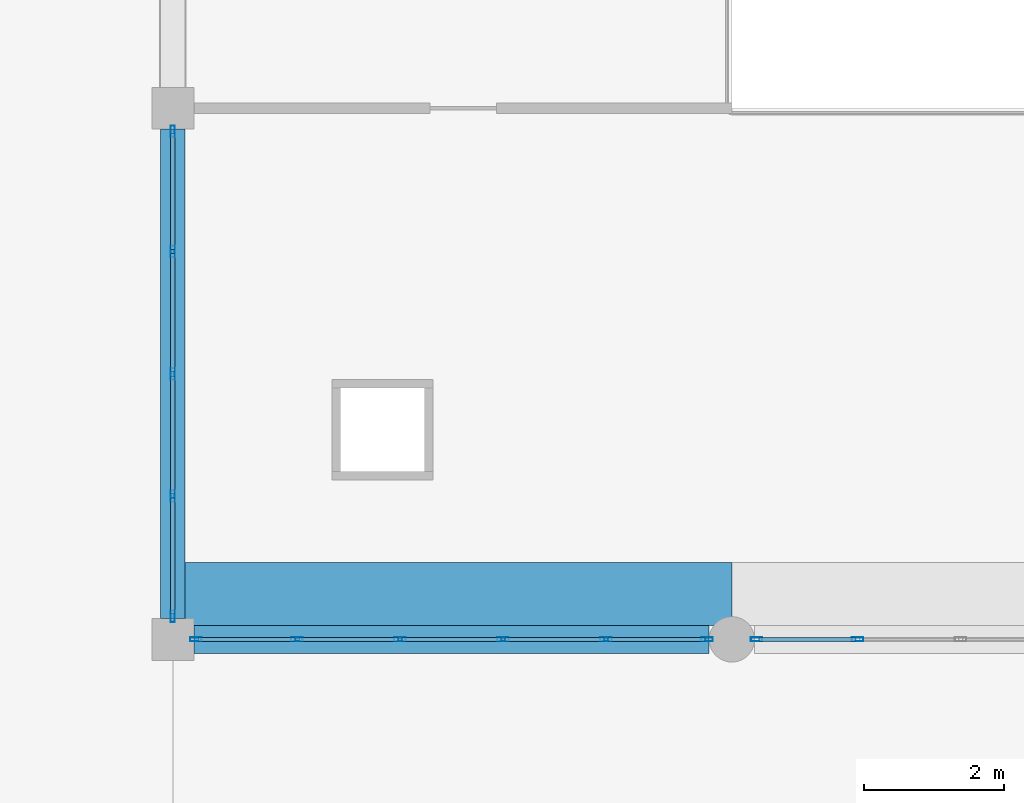
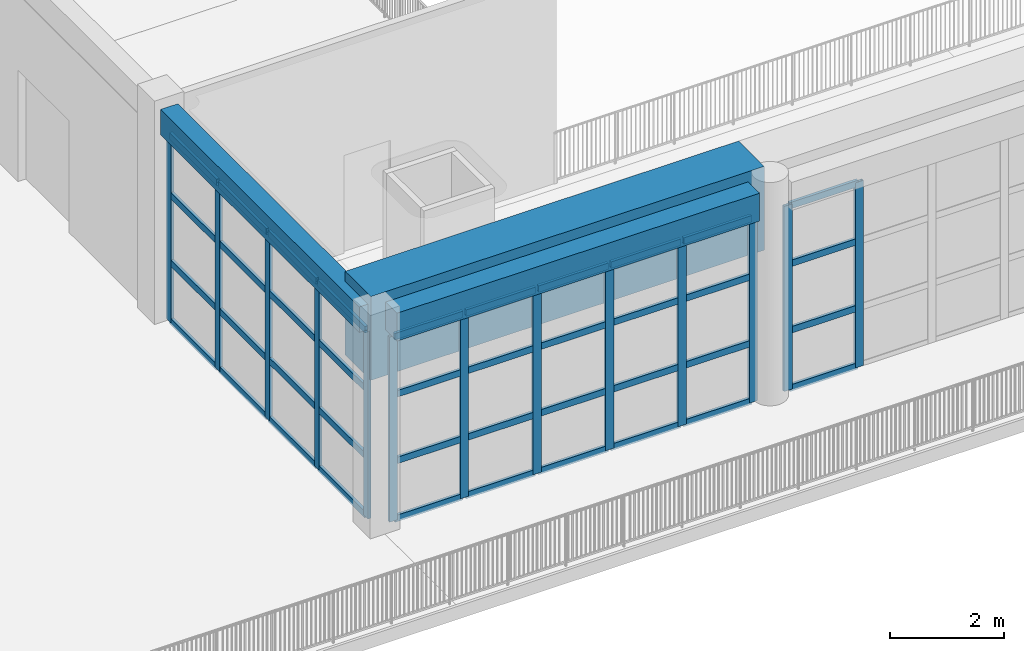
# One storey, part 4 of 32: 53 members, 3 beams, 3 elements without a shape of their own.
"""IFC4 building model written with IfcOpenShell, lengths in metres."""

from ifc_helpers import new_model, si_unit, direction, frame, origin, origin_2d, place, context, subcontext, project, spatial, rectangle, hollow_rectangle, extrude, material, material_profile, profile_set, type_object, element, aggregate, save


model = new_model("IFC4")

# Units and contexts
model_context = context("Model", 3, precision=1e-05, world=origin(), true_north=direction((0.0, 1.0)))
body_context = subcontext(model_context, "Body", "Model", "MODEL_VIEW")
ifc_project = project(units=[si_unit("LENGTHUNIT", "METRE"), si_unit("AREAUNIT", "SQUARE_METRE"), si_unit("VOLUMEUNIT", "CUBIC_METRE"), si_unit("PLANEANGLEUNIT", "RADIAN"), si_unit("MASSUNIT", "GRAM", prefix="KILO")], contexts=[model_context])

# Site, building, storey
site_placement = place(None, origin())
site = spatial("IfcSite", under=ifc_project, at=site_placement, CompositionType="ELEMENT")
building_placement = place(site_placement, origin())
building = spatial("IfcBuilding", under=site, at=building_placement, Name="Zantavel Square City Hall", CompositionType="ELEMENT")
storey_placement = place(building_placement, frame((0.0, 0.0, 23.699951171875)))
storey = spatial("IfcBuildingStorey", under=building, at=storey_placement, Name="L06", CompositionType="ELEMENT", Elevation=23.699951171875)

# Curtain wall, members
ifc_material_1 = material(Name="Anodised aluminium 6063-T6", Category="aluminium")
curtain_wall_type_1 = type_object("IfcCurtainWallType", Name="Curtain Wall TRV1 7375x3980", PredefinedType="USERDEFINED", material=ifc_material_1)
curtain_wall_1_placement = place(storey_placement, origin())
curtain_wall_1 = element("IfcCurtainWall", 1, at=curtain_wall_1_placement, inside=storey, type_object=curtain_wall_type_1, Name="L06 Glazed Curtain Wall CW-L06-156", ObjectType="GLAZED CURTAIN WALL", PredefinedType="USERDEFINED")
ifc_material_profile_1 = material_profile(ifc_material_1, hollow_rectangle(XDim=0.06005859375, YDim=0.1650390625, WallThickness=0.00390625, at=origin_2d()), Name="ALU 60x165x4")
ifc_profile_set_1 = profile_set([ifc_material_profile_1], Name="Anodised aluminium 6063-T6")
member_type_1 = type_object("IfcMemberType", Name="CW Council Gallery Mullion ALU 60x165x4", PredefinedType="MULLION", material=ifc_profile_set_1)
member_1_placement = place(storey_placement, frame((73.800048828125, 30.39990234375, 0.0), z_axis=(0.0, 0.0, 1.0), x_axis=(0.0, -1.0, 0.0)))
member_1 = element("IfcMember", 2, at=member_1_placement, type_object=member_type_1, Name="CW-156 mullion 5", PredefinedType="MULLION", context=body_context, shape_type="SweptSolid", body=[
    extrude(hollow_rectangle(XDim=0.06005859375, YDim=0.1650390625, WallThickness=0.00390625, at=origin_2d()), origin(), (0.0, 0.0, 1.0), 3.97998046875),
])
member_2_placement = place(storey_placement, frame((72.35498046875, 30.39990234375, 0.0), z_axis=(0.0, 0.0, 1.0), x_axis=(0.0, -1.0, 0.0)))
member_2 = element("IfcMember", 3, at=member_2_placement, type_object=member_type_1, Name="CW-156 mullion 6", PredefinedType="MULLION", context=body_context, shape_type="SweptSolid", body=[
    extrude(hollow_rectangle(XDim=0.06005859375, YDim=0.1650390625, WallThickness=0.00390625, at=origin_2d()), origin(), (0.0, 0.0, 1.0), 3.97998046875),
])

curtain_wall_2_placement = place(storey_placement, origin())
curtain_wall_2 = element("IfcCurtainWall", 4, at=curtain_wall_2_placement, inside=storey, type_object=curtain_wall_type_1, Name="L06 Glazed Curtain Wall CW-L06-157", ObjectType="GLAZED CURTAIN WALL", PredefinedType="USERDEFINED")
member_3_placement = place(storey_placement, frame((71.64501953125, 30.39990234375, 0.0), z_axis=(0.0, 0.0, 1.0), x_axis=(0.0, -1.0, 0.0)))
member_3 = element("IfcMember", 5, at=member_3_placement, type_object=member_type_1, Name="CW-157 mullion 1", PredefinedType="MULLION", context=body_context, shape_type="SweptSolid", body=[
    extrude(hollow_rectangle(XDim=0.06005859375, YDim=0.1650390625, WallThickness=0.00390625, at=origin_2d()), origin(), (0.0, 0.0, 1.0), 3.97998046875),
])
member_4_placement = place(storey_placement, frame((70.199951171875, 30.39990234375, 0.0), z_axis=(0.0, 0.0, 1.0), x_axis=(0.0, -1.0, 0.0)))
member_4 = element("IfcMember", 6, at=member_4_placement, type_object=member_type_1, Name="CW-157 mullion 2", PredefinedType="MULLION", context=body_context, shape_type="SweptSolid", body=[
    extrude(hollow_rectangle(XDim=0.06005859375, YDim=0.1650390625, WallThickness=0.00390625, at=origin_2d()), origin(), (0.0, 0.0, 1.0), 3.97998046875),
])
member_5_placement = place(storey_placement, frame((68.72509765625, 30.39990234375, 0.0), z_axis=(0.0, 0.0, 1.0), x_axis=(0.0, -1.0, 0.0)))
member_5 = element("IfcMember", 7, at=member_5_placement, type_object=member_type_1, Name="CW-157 mullion 3", PredefinedType="MULLION", context=body_context, shape_type="SweptSolid", body=[
    extrude(hollow_rectangle(XDim=0.06005859375, YDim=0.1650390625, WallThickness=0.00390625, at=origin_2d()), origin(), (0.0, 0.0, 1.0), 3.97998046875),
])
member_6_placement = place(storey_placement, frame((67.25, 30.39990234375, 0.0), z_axis=(0.0, 0.0, 1.0), x_axis=(0.0, -1.0, 0.0)))
member_6 = element("IfcMember", 8, at=member_6_placement, type_object=member_type_1, Name="CW-157 mullion 4", PredefinedType="MULLION", context=body_context, shape_type="SweptSolid", body=[
    extrude(hollow_rectangle(XDim=0.06005859375, YDim=0.1650390625, WallThickness=0.00390625, at=origin_2d()), origin(), (0.0, 0.0, 1.0), 3.97998046875),
])
member_7_placement = place(storey_placement, frame((65.77490234375, 30.39990234375, 0.0), z_axis=(0.0, 0.0, 1.0), x_axis=(0.0, -1.0, 0.0)))
member_7 = element("IfcMember", 9, at=member_7_placement, type_object=member_type_1, Name="CW-157 mullion 5", PredefinedType="MULLION", context=body_context, shape_type="SweptSolid", body=[
    extrude(hollow_rectangle(XDim=0.06005859375, YDim=0.1650390625, WallThickness=0.00390625, at=origin_2d()), origin(), (0.0, 0.0, 1.0), 3.97998046875),
])
member_8_placement = place(storey_placement, frame((64.330078125, 30.39990234375, 0.0), z_axis=(0.0, 0.0, 1.0), x_axis=(0.0, -1.0, 0.0)))
member_8 = element("IfcMember", 10, at=member_8_placement, type_object=member_type_1, Name="CW-157 mullion 6", PredefinedType="MULLION", context=body_context, shape_type="SweptSolid", body=[
    extrude(hollow_rectangle(XDim=0.06005859375, YDim=0.1650390625, WallThickness=0.00390625, at=origin_2d()), origin(), (0.0, 0.0, 1.0), 3.97998046875),
])

curtain_wall_type_2 = type_object("IfcCurtainWallType", Name="Curtain Wall TRV1 7000x4030", PredefinedType="USERDEFINED", material=ifc_material_1)
curtain_wall_3_placement = place(storey_placement, origin())
curtain_wall_3 = element("IfcCurtainWall", 11, at=curtain_wall_3_placement, inside=storey, type_object=curtain_wall_type_2, Name="L06 Glazed Curtain Wall CW-L06-158", ObjectType="GLAZED CURTAIN WALL", PredefinedType="USERDEFINED")
member_9_placement = place(storey_placement, frame((64.0, 30.72998046875, 0.0), z_axis=(0.0, 0.0, 1.0), x_axis=(-1.0, 0.0, 0.0)))
member_9 = element("IfcMember", 12, at=member_9_placement, type_object=member_type_1, Name="CW-158 mullion 1", PredefinedType="MULLION", context=body_context, shape_type="SweptSolid", body=[
    extrude(hollow_rectangle(XDim=0.06005859375, YDim=0.1650390625, WallThickness=0.00390625, at=origin_2d()), origin(), (0.0, 0.0, 1.0), 4.030029296875),
])
member_10_placement = place(storey_placement, frame((64.0, 32.449951171875, 0.0), z_axis=(0.0, 0.0, 1.0), x_axis=(-1.0, 0.0, 0.0)))
member_10 = element("IfcMember", 13, at=member_10_placement, type_object=member_type_1, Name="CW-158 mullion 2", PredefinedType="MULLION", context=body_context, shape_type="SweptSolid", body=[
    extrude(hollow_rectangle(XDim=0.06005859375, YDim=0.1650390625, WallThickness=0.00390625, at=origin_2d()), origin(), (0.0, 0.0, 1.0), 4.030029296875),
])
member_11_placement = place(storey_placement, frame((64.0, 34.199951171875, 0.0), z_axis=(0.0, 0.0, 1.0), x_axis=(-1.0, 0.0, 0.0)))
member_11 = element("IfcMember", 14, at=member_11_placement, type_object=member_type_1, Name="CW-158 mullion 3", PredefinedType="MULLION", context=body_context, shape_type="SweptSolid", body=[
    extrude(hollow_rectangle(XDim=0.06005859375, YDim=0.1650390625, WallThickness=0.00390625, at=origin_2d()), origin(), (0.0, 0.0, 1.0), 4.030029296875),
])
member_12_placement = place(storey_placement, frame((64.0, 35.949951171875, 0.0), z_axis=(0.0, 0.0, 1.0), x_axis=(-1.0, 0.0, 0.0)))
member_12 = element("IfcMember", 15, at=member_12_placement, type_object=member_type_1, Name="CW-158 mullion 4", PredefinedType="MULLION", context=body_context, shape_type="SweptSolid", body=[
    extrude(hollow_rectangle(XDim=0.06005859375, YDim=0.1650390625, WallThickness=0.00390625, at=origin_2d()), origin(), (0.0, 0.0, 1.0), 4.030029296875),
])
member_13_placement = place(storey_placement, frame((64.0, 37.669921875, 0.0), z_axis=(0.0, 0.0, 1.0), x_axis=(-1.0, 0.0, 0.0)))
member_13 = element("IfcMember", 16, at=member_13_placement, type_object=member_type_1, Name="CW-158 mullion 5", PredefinedType="MULLION", context=body_context, shape_type="SweptSolid", body=[
    extrude(hollow_rectangle(XDim=0.06005859375, YDim=0.1650390625, WallThickness=0.00390625, at=origin_2d()), origin(), (0.0, 0.0, 1.0), 4.030029296875),
])

# Member
ifc_material_profile_2 = material_profile(ifc_material_1, hollow_rectangle(XDim=0.06005859375, YDim=0.139892578125, WallThickness=0.00390625, at=origin_2d()), Name="ALU 60x140x4")
ifc_profile_set_2 = profile_set([ifc_material_profile_2], Name="Anodised aluminium 6063-T6")
member_type_2 = type_object("IfcMemberType", Name="CW Transom ALU 60x140x4", PredefinedType="USERDEFINED", material=ifc_profile_set_2)
member_14_placement = place(storey_placement, frame((73.77001953125, 30.39990234375, 0.030029296875), z_axis=(-1.0, 0.0, 0.0), x_axis=(0.0, -1.0, 0.0)))
member_14 = element("IfcMember", 17, at=member_14_placement, type_object=member_type_2, Name="CW-156 transom 5.1", ObjectType="TRANSOM", PredefinedType="USERDEFINED", context=body_context, shape_type="SweptSolid", body=[
    extrude(hollow_rectangle(XDim=0.06005859375, YDim=0.139892578125, WallThickness=0.00390625, at=origin_2d()), origin(), (0.0, 0.0, 1.0), 1.385009765625),
])

member_15_placement = place(storey_placement, frame((73.77001953125, 30.39990234375, 1.274169921875), z_axis=(-1.0, 0.0, 0.0), x_axis=(0.0, -1.0, 0.0)))
member_15 = element("IfcMember", 18, at=member_15_placement, type_object=member_type_2, Name="CW-156 transom 5.2", ObjectType="TRANSOM", PredefinedType="USERDEFINED", context=body_context, shape_type="SweptSolid", body=[
    extrude(hollow_rectangle(XDim=0.06005859375, YDim=0.139892578125, WallThickness=0.00390625, at=origin_2d()), origin(), (0.0, 0.0, 1.0), 1.385009765625),
])

member_16_placement = place(storey_placement, frame((73.77001953125, 30.39990234375, 2.7060546875), z_axis=(-1.0, 0.0, 0.0), x_axis=(0.0, -1.0, 0.0)))
member_16 = element("IfcMember", 19, at=member_16_placement, type_object=member_type_2, Name="CW-156 transom 5.3", ObjectType="TRANSOM", PredefinedType="USERDEFINED", context=body_context, shape_type="SweptSolid", body=[
    extrude(hollow_rectangle(XDim=0.06005859375, YDim=0.139892578125, WallThickness=0.00390625, at=origin_2d()), origin(), (0.0, 0.0, 1.0), 1.385009765625),
])

member_17_placement = place(storey_placement, frame((73.77001953125, 30.39990234375, 3.949951171875), z_axis=(-1.0, 0.0, 0.0), x_axis=(0.0, -1.0, 0.0)))
member_17 = element("IfcMember", 20, at=member_17_placement, type_object=member_type_2, Name="CW-156 transom 5.4", ObjectType="TRANSOM", PredefinedType="USERDEFINED", context=body_context, shape_type="SweptSolid", body=[
    extrude(hollow_rectangle(XDim=0.06005859375, YDim=0.139892578125, WallThickness=0.00390625, at=origin_2d()), origin(), (0.0, 0.0, 1.0), 1.385009765625),
])

aggregate(curtain_wall_1, [member_1, member_2, member_14, member_15, member_16, member_17])

member_18_placement = place(storey_placement, frame((71.614990234375, 30.39990234375, 0.030029296875), z_axis=(-1.0, 0.0, 0.0), x_axis=(0.0, -1.0, 0.0)))
member_18 = element("IfcMember", 21, at=member_18_placement, type_object=member_type_2, Name="CW-157 transom 1.1", ObjectType="TRANSOM", PredefinedType="USERDEFINED", context=body_context, shape_type="SweptSolid", body=[
    extrude(hollow_rectangle(XDim=0.06005859375, YDim=0.139892578125, WallThickness=0.00390625, at=origin_2d()), origin(), (0.0, 0.0, 1.0), 1.385009765625),
])

member_19_placement = place(storey_placement, frame((71.614990234375, 30.39990234375, 1.274169921875), z_axis=(-1.0, 0.0, 0.0), x_axis=(0.0, -1.0, 0.0)))
member_19 = element("IfcMember", 22, at=member_19_placement, type_object=member_type_2, Name="CW-157 transom 1.2", ObjectType="TRANSOM", PredefinedType="USERDEFINED", context=body_context, shape_type="SweptSolid", body=[
    extrude(hollow_rectangle(XDim=0.06005859375, YDim=0.139892578125, WallThickness=0.00390625, at=origin_2d()), origin(), (0.0, 0.0, 1.0), 1.385009765625),
])

member_20_placement = place(storey_placement, frame((71.614990234375, 30.39990234375, 2.7060546875), z_axis=(-1.0, 0.0, 0.0), x_axis=(0.0, -1.0, 0.0)))
member_20 = element("IfcMember", 23, at=member_20_placement, type_object=member_type_2, Name="CW-157 transom 1.3", ObjectType="TRANSOM", PredefinedType="USERDEFINED", context=body_context, shape_type="SweptSolid", body=[
    extrude(hollow_rectangle(XDim=0.06005859375, YDim=0.139892578125, WallThickness=0.00390625, at=origin_2d()), origin(), (0.0, 0.0, 1.0), 1.385009765625),
])

member_21_placement = place(storey_placement, frame((71.614990234375, 30.39990234375, 3.949951171875), z_axis=(-1.0, 0.0, 0.0), x_axis=(0.0, -1.0, 0.0)))
member_21 = element("IfcMember", 24, at=member_21_placement, type_object=member_type_2, Name="CW-157 transom 1.4", ObjectType="TRANSOM", PredefinedType="USERDEFINED", context=body_context, shape_type="SweptSolid", body=[
    extrude(hollow_rectangle(XDim=0.06005859375, YDim=0.139892578125, WallThickness=0.00390625, at=origin_2d()), origin(), (0.0, 0.0, 1.0), 1.385009765625),
])

member_22_placement = place(storey_placement, frame((70.169921875, 30.39990234375, 0.030029296875), z_axis=(-1.0, 0.0, 0.0), x_axis=(0.0, -1.0, 0.0)))
member_22 = element("IfcMember", 25, at=member_22_placement, type_object=member_type_2, Name="CW-157 transom 2.1", ObjectType="TRANSOM", PredefinedType="USERDEFINED", context=body_context, shape_type="SweptSolid", body=[
    extrude(hollow_rectangle(XDim=0.06005859375, YDim=0.139892578125, WallThickness=0.00390625, at=origin_2d()), origin(), (0.0, 0.0, 1.0), 1.4150390625),
])

member_23_placement = place(storey_placement, frame((70.169921875, 30.39990234375, 1.274169921875), z_axis=(-1.0, 0.0, 0.0), x_axis=(0.0, -1.0, 0.0)))
member_23 = element("IfcMember", 26, at=member_23_placement, type_object=member_type_2, Name="CW-157 transom 2.2", ObjectType="TRANSOM", PredefinedType="USERDEFINED", context=body_context, shape_type="SweptSolid", body=[
    extrude(hollow_rectangle(XDim=0.06005859375, YDim=0.139892578125, WallThickness=0.00390625, at=origin_2d()), origin(), (0.0, 0.0, 1.0), 1.4150390625),
])

member_24_placement = place(storey_placement, frame((70.169921875, 30.39990234375, 2.7060546875), z_axis=(-1.0, 0.0, 0.0), x_axis=(0.0, -1.0, 0.0)))
member_24 = element("IfcMember", 27, at=member_24_placement, type_object=member_type_2, Name="CW-157 transom 2.3", ObjectType="TRANSOM", PredefinedType="USERDEFINED", context=body_context, shape_type="SweptSolid", body=[
    extrude(hollow_rectangle(XDim=0.06005859375, YDim=0.139892578125, WallThickness=0.00390625, at=origin_2d()), origin(), (0.0, 0.0, 1.0), 1.4150390625),
])

member_25_placement = place(storey_placement, frame((70.169921875, 30.39990234375, 3.949951171875), z_axis=(-1.0, 0.0, 0.0), x_axis=(0.0, -1.0, 0.0)))
member_25 = element("IfcMember", 28, at=member_25_placement, type_object=member_type_2, Name="CW-157 transom 2.4", ObjectType="TRANSOM", PredefinedType="USERDEFINED", context=body_context, shape_type="SweptSolid", body=[
    extrude(hollow_rectangle(XDim=0.06005859375, YDim=0.139892578125, WallThickness=0.00390625, at=origin_2d()), origin(), (0.0, 0.0, 1.0), 1.4150390625),
])

member_26_placement = place(storey_placement, frame((68.695068359375, 30.39990234375, 0.030029296875), z_axis=(-1.0, 0.0, 0.0), x_axis=(0.0, -1.0, 0.0)))
member_26 = element("IfcMember", 29, at=member_26_placement, type_object=member_type_2, Name="CW-157 transom 3.1", ObjectType="TRANSOM", PredefinedType="USERDEFINED", context=body_context, shape_type="SweptSolid", body=[
    extrude(hollow_rectangle(XDim=0.06005859375, YDim=0.139892578125, WallThickness=0.00390625, at=origin_2d()), origin(), (0.0, 0.0, 1.0), 1.4150390625),
])

member_27_placement = place(storey_placement, frame((68.695068359375, 30.39990234375, 1.274169921875), z_axis=(-1.0, 0.0, 0.0), x_axis=(0.0, -1.0, 0.0)))
member_27 = element("IfcMember", 30, at=member_27_placement, type_object=member_type_2, Name="CW-157 transom 3.2", ObjectType="TRANSOM", PredefinedType="USERDEFINED", context=body_context, shape_type="SweptSolid", body=[
    extrude(hollow_rectangle(XDim=0.06005859375, YDim=0.139892578125, WallThickness=0.00390625, at=origin_2d()), origin(), (0.0, 0.0, 1.0), 1.4150390625),
])

member_28_placement = place(storey_placement, frame((68.695068359375, 30.39990234375, 2.7060546875), z_axis=(-1.0, 0.0, 0.0), x_axis=(0.0, -1.0, 0.0)))
member_28 = element("IfcMember", 31, at=member_28_placement, type_object=member_type_2, Name="CW-157 transom 3.3", ObjectType="TRANSOM", PredefinedType="USERDEFINED", context=body_context, shape_type="SweptSolid", body=[
    extrude(hollow_rectangle(XDim=0.06005859375, YDim=0.139892578125, WallThickness=0.00390625, at=origin_2d()), origin(), (0.0, 0.0, 1.0), 1.4150390625),
])

member_29_placement = place(storey_placement, frame((68.695068359375, 30.39990234375, 3.949951171875), z_axis=(-1.0, 0.0, 0.0), x_axis=(0.0, -1.0, 0.0)))
member_29 = element("IfcMember", 32, at=member_29_placement, type_object=member_type_2, Name="CW-157 transom 3.4", ObjectType="TRANSOM", PredefinedType="USERDEFINED", context=body_context, shape_type="SweptSolid", body=[
    extrude(hollow_rectangle(XDim=0.06005859375, YDim=0.139892578125, WallThickness=0.00390625, at=origin_2d()), origin(), (0.0, 0.0, 1.0), 1.4150390625),
])

member_30_placement = place(storey_placement, frame((67.219970703125, 30.39990234375, 0.030029296875), z_axis=(-1.0, 0.0, 0.0), x_axis=(0.0, -1.0, 0.0)))
member_30 = element("IfcMember", 33, at=member_30_placement, type_object=member_type_2, Name="CW-157 transom 4.1", ObjectType="TRANSOM", PredefinedType="USERDEFINED", context=body_context, shape_type="SweptSolid", body=[
    extrude(hollow_rectangle(XDim=0.06005859375, YDim=0.139892578125, WallThickness=0.00390625, at=origin_2d()), origin(), (0.0, 0.0, 1.0), 1.4150390625),
])

member_31_placement = place(storey_placement, frame((67.219970703125, 30.39990234375, 1.274169921875), z_axis=(-1.0, 0.0, 0.0), x_axis=(0.0, -1.0, 0.0)))
member_31 = element("IfcMember", 34, at=member_31_placement, type_object=member_type_2, Name="CW-157 transom 4.2", ObjectType="TRANSOM", PredefinedType="USERDEFINED", context=body_context, shape_type="SweptSolid", body=[
    extrude(hollow_rectangle(XDim=0.06005859375, YDim=0.139892578125, WallThickness=0.00390625, at=origin_2d()), origin(), (0.0, 0.0, 1.0), 1.4150390625),
])

member_32_placement = place(storey_placement, frame((67.219970703125, 30.39990234375, 2.7060546875), z_axis=(-1.0, 0.0, 0.0), x_axis=(0.0, -1.0, 0.0)))
member_32 = element("IfcMember", 35, at=member_32_placement, type_object=member_type_2, Name="CW-157 transom 4.3", ObjectType="TRANSOM", PredefinedType="USERDEFINED", context=body_context, shape_type="SweptSolid", body=[
    extrude(hollow_rectangle(XDim=0.06005859375, YDim=0.139892578125, WallThickness=0.00390625, at=origin_2d()), origin(), (0.0, 0.0, 1.0), 1.4150390625),
])

member_33_placement = place(storey_placement, frame((67.219970703125, 30.39990234375, 3.949951171875), z_axis=(-1.0, 0.0, 0.0), x_axis=(0.0, -1.0, 0.0)))
member_33 = element("IfcMember", 36, at=member_33_placement, type_object=member_type_2, Name="CW-157 transom 4.4", ObjectType="TRANSOM", PredefinedType="USERDEFINED", context=body_context, shape_type="SweptSolid", body=[
    extrude(hollow_rectangle(XDim=0.06005859375, YDim=0.139892578125, WallThickness=0.00390625, at=origin_2d()), origin(), (0.0, 0.0, 1.0), 1.4150390625),
])

member_34_placement = place(storey_placement, frame((65.7451171875, 30.39990234375, 0.030029296875), z_axis=(-1.0, 0.0, 0.0), x_axis=(0.0, -1.0, 0.0)))
member_34 = element("IfcMember", 37, at=member_34_placement, type_object=member_type_2, Name="CW-157 transom 5.1", ObjectType="TRANSOM", PredefinedType="USERDEFINED", context=body_context, shape_type="SweptSolid", body=[
    extrude(hollow_rectangle(XDim=0.06005859375, YDim=0.139892578125, WallThickness=0.00390625, at=origin_2d()), origin(), (0.0, 0.0, 1.0), 1.385009765625),
])

member_35_placement = place(storey_placement, frame((65.7451171875, 30.39990234375, 1.274169921875), z_axis=(-1.0, 0.0, 0.0), x_axis=(0.0, -1.0, 0.0)))
member_35 = element("IfcMember", 38, at=member_35_placement, type_object=member_type_2, Name="CW-157 transom 5.2", ObjectType="TRANSOM", PredefinedType="USERDEFINED", context=body_context, shape_type="SweptSolid", body=[
    extrude(hollow_rectangle(XDim=0.06005859375, YDim=0.139892578125, WallThickness=0.00390625, at=origin_2d()), origin(), (0.0, 0.0, 1.0), 1.385009765625),
])

member_36_placement = place(storey_placement, frame((65.7451171875, 30.39990234375, 2.7060546875), z_axis=(-1.0, 0.0, 0.0), x_axis=(0.0, -1.0, 0.0)))
member_36 = element("IfcMember", 39, at=member_36_placement, type_object=member_type_2, Name="CW-157 transom 5.3", ObjectType="TRANSOM", PredefinedType="USERDEFINED", context=body_context, shape_type="SweptSolid", body=[
    extrude(hollow_rectangle(XDim=0.06005859375, YDim=0.139892578125, WallThickness=0.00390625, at=origin_2d()), origin(), (0.0, 0.0, 1.0), 1.385009765625),
])

member_37_placement = place(storey_placement, frame((65.7451171875, 30.39990234375, 3.949951171875), z_axis=(-1.0, 0.0, 0.0), x_axis=(0.0, -1.0, 0.0)))
member_37 = element("IfcMember", 40, at=member_37_placement, type_object=member_type_2, Name="CW-157 transom 5.4", ObjectType="TRANSOM", PredefinedType="USERDEFINED", context=body_context, shape_type="SweptSolid", body=[
    extrude(hollow_rectangle(XDim=0.06005859375, YDim=0.139892578125, WallThickness=0.00390625, at=origin_2d()), origin(), (0.0, 0.0, 1.0), 1.385009765625),
])

aggregate(curtain_wall_2, [member_3, member_4, member_5, member_6, member_7, member_8, member_18, member_19, member_20, member_21, member_22, member_23, member_24, member_25, member_26, member_27, member_28, member_29, member_30, member_31, member_32, member_33, member_34, member_35, member_36, member_37])

member_38_placement = place(storey_placement, frame((64.0, 30.760009765625, 0.030029296875), z_axis=(0.0, 1.0, 0.0), x_axis=(-1.0, 0.0, 0.0)))
member_38 = element("IfcMember", 41, at=member_38_placement, type_object=member_type_2, Name="CW-158 transom 1.1", ObjectType="TRANSOM", PredefinedType="USERDEFINED", context=body_context, shape_type="SweptSolid", body=[
    extrude(hollow_rectangle(XDim=0.06005859375, YDim=0.139892578125, WallThickness=0.00390625, at=origin_2d()), origin(), (0.0, 0.0, 1.0), 1.659912109375),
])

member_39_placement = place(storey_placement, frame((64.0, 30.760009765625, 1.2900390625), z_axis=(0.0, 1.0, 0.0), x_axis=(-1.0, 0.0, 0.0)))
member_39 = element("IfcMember", 42, at=member_39_placement, type_object=member_type_2, Name="CW-158 transom 1.2", ObjectType="TRANSOM", PredefinedType="USERDEFINED", context=body_context, shape_type="SweptSolid", body=[
    extrude(hollow_rectangle(XDim=0.06005859375, YDim=0.139892578125, WallThickness=0.00390625, at=origin_2d()), origin(), (0.0, 0.0, 1.0), 1.659912109375),
])

member_40_placement = place(storey_placement, frame((64.0, 30.760009765625, 2.739990234375), z_axis=(0.0, 1.0, 0.0), x_axis=(-1.0, 0.0, 0.0)))
member_40 = element("IfcMember", 43, at=member_40_placement, type_object=member_type_2, Name="CW-158 transom 1.3", ObjectType="TRANSOM", PredefinedType="USERDEFINED", context=body_context, shape_type="SweptSolid", body=[
    extrude(hollow_rectangle(XDim=0.06005859375, YDim=0.139892578125, WallThickness=0.00390625, at=origin_2d()), origin(), (0.0, 0.0, 1.0), 1.659912109375),
])

member_41_placement = place(storey_placement, frame((64.0, 30.760009765625, 4.0), z_axis=(0.0, 1.0, 0.0), x_axis=(-1.0, 0.0, 0.0)))
member_41 = element("IfcMember", 44, at=member_41_placement, type_object=member_type_2, Name="CW-158 transom 1.4", ObjectType="TRANSOM", PredefinedType="USERDEFINED", context=body_context, shape_type="SweptSolid", body=[
    extrude(hollow_rectangle(XDim=0.06005859375, YDim=0.139892578125, WallThickness=0.00390625, at=origin_2d()), origin(), (0.0, 0.0, 1.0), 1.659912109375),
])

member_42_placement = place(storey_placement, frame((64.0, 32.47998046875, 0.030029296875), z_axis=(0.0, 1.0, 0.0), x_axis=(-1.0, 0.0, 0.0)))
member_42 = element("IfcMember", 45, at=member_42_placement, type_object=member_type_2, Name="CW-158 transom 2.1", ObjectType="TRANSOM", PredefinedType="USERDEFINED", context=body_context, shape_type="SweptSolid", body=[
    extrude(hollow_rectangle(XDim=0.06005859375, YDim=0.139892578125, WallThickness=0.00390625, at=origin_2d()), origin(), (0.0, 0.0, 1.0), 1.68994140625),
])

member_43_placement = place(storey_placement, frame((64.0, 32.47998046875, 1.2900390625), z_axis=(0.0, 1.0, 0.0), x_axis=(-1.0, 0.0, 0.0)))
member_43 = element("IfcMember", 46, at=member_43_placement, type_object=member_type_2, Name="CW-158 transom 2.2", ObjectType="TRANSOM", PredefinedType="USERDEFINED", context=body_context, shape_type="SweptSolid", body=[
    extrude(hollow_rectangle(XDim=0.06005859375, YDim=0.139892578125, WallThickness=0.00390625, at=origin_2d()), origin(), (0.0, 0.0, 1.0), 1.68994140625),
])

member_44_placement = place(storey_placement, frame((64.0, 32.47998046875, 2.739990234375), z_axis=(0.0, 1.0, 0.0), x_axis=(-1.0, 0.0, 0.0)))
member_44 = element("IfcMember", 47, at=member_44_placement, type_object=member_type_2, Name="CW-158 transom 2.3", ObjectType="TRANSOM", PredefinedType="USERDEFINED", context=body_context, shape_type="SweptSolid", body=[
    extrude(hollow_rectangle(XDim=0.06005859375, YDim=0.139892578125, WallThickness=0.00390625, at=origin_2d()), origin(), (0.0, 0.0, 1.0), 1.68994140625),
])

member_45_placement = place(storey_placement, frame((64.0, 32.47998046875, 4.0), z_axis=(0.0, 1.0, 0.0), x_axis=(-1.0, 0.0, 0.0)))
member_45 = element("IfcMember", 48, at=member_45_placement, type_object=member_type_2, Name="CW-158 transom 2.4", ObjectType="TRANSOM", PredefinedType="USERDEFINED", context=body_context, shape_type="SweptSolid", body=[
    extrude(hollow_rectangle(XDim=0.06005859375, YDim=0.139892578125, WallThickness=0.00390625, at=origin_2d()), origin(), (0.0, 0.0, 1.0), 1.68994140625),
])

member_46_placement = place(storey_placement, frame((64.0, 34.22998046875, 0.030029296875), z_axis=(0.0, 1.0, 0.0), x_axis=(-1.0, 0.0, 0.0)))
member_46 = element("IfcMember", 49, at=member_46_placement, type_object=member_type_2, Name="CW-158 transom 3.1", ObjectType="TRANSOM", PredefinedType="USERDEFINED", context=body_context, shape_type="SweptSolid", body=[
    extrude(hollow_rectangle(XDim=0.06005859375, YDim=0.139892578125, WallThickness=0.00390625, at=origin_2d()), origin(), (0.0, 0.0, 1.0), 1.68994140625),
])

member_47_placement = place(storey_placement, frame((64.0, 34.22998046875, 1.2900390625), z_axis=(0.0, 1.0, 0.0), x_axis=(-1.0, 0.0, 0.0)))
member_47 = element("IfcMember", 50, at=member_47_placement, type_object=member_type_2, Name="CW-158 transom 3.2", ObjectType="TRANSOM", PredefinedType="USERDEFINED", context=body_context, shape_type="SweptSolid", body=[
    extrude(hollow_rectangle(XDim=0.06005859375, YDim=0.139892578125, WallThickness=0.00390625, at=origin_2d()), origin(), (0.0, 0.0, 1.0), 1.68994140625),
])

member_48_placement = place(storey_placement, frame((64.0, 34.22998046875, 2.739990234375), z_axis=(0.0, 1.0, 0.0), x_axis=(-1.0, 0.0, 0.0)))
member_48 = element("IfcMember", 51, at=member_48_placement, type_object=member_type_2, Name="CW-158 transom 3.3", ObjectType="TRANSOM", PredefinedType="USERDEFINED", context=body_context, shape_type="SweptSolid", body=[
    extrude(hollow_rectangle(XDim=0.06005859375, YDim=0.139892578125, WallThickness=0.00390625, at=origin_2d()), origin(), (0.0, 0.0, 1.0), 1.68994140625),
])

member_49_placement = place(storey_placement, frame((64.0, 34.22998046875, 4.0), z_axis=(0.0, 1.0, 0.0), x_axis=(-1.0, 0.0, 0.0)))
member_49 = element("IfcMember", 52, at=member_49_placement, type_object=member_type_2, Name="CW-158 transom 3.4", ObjectType="TRANSOM", PredefinedType="USERDEFINED", context=body_context, shape_type="SweptSolid", body=[
    extrude(hollow_rectangle(XDim=0.06005859375, YDim=0.139892578125, WallThickness=0.00390625, at=origin_2d()), origin(), (0.0, 0.0, 1.0), 1.68994140625),
])

member_50_placement = place(storey_placement, frame((64.0, 35.97998046875, 0.030029296875), z_axis=(0.0, 1.0, 0.0), x_axis=(-1.0, 0.0, 0.0)))
member_50 = element("IfcMember", 53, at=member_50_placement, type_object=member_type_2, Name="CW-158 transom 4.1", ObjectType="TRANSOM", PredefinedType="USERDEFINED", context=body_context, shape_type="SweptSolid", body=[
    extrude(hollow_rectangle(XDim=0.06005859375, YDim=0.139892578125, WallThickness=0.00390625, at=origin_2d()), origin(), (0.0, 0.0, 1.0), 1.659912109375),
])

member_51_placement = place(storey_placement, frame((64.0, 35.97998046875, 1.2900390625), z_axis=(0.0, 1.0, 0.0), x_axis=(-1.0, 0.0, 0.0)))
member_51 = element("IfcMember", 54, at=member_51_placement, type_object=member_type_2, Name="CW-158 transom 4.2", ObjectType="TRANSOM", PredefinedType="USERDEFINED", context=body_context, shape_type="SweptSolid", body=[
    extrude(hollow_rectangle(XDim=0.06005859375, YDim=0.139892578125, WallThickness=0.00390625, at=origin_2d()), origin(), (0.0, 0.0, 1.0), 1.659912109375),
])

member_52_placement = place(storey_placement, frame((64.0, 35.97998046875, 2.739990234375), z_axis=(0.0, 1.0, 0.0), x_axis=(-1.0, 0.0, 0.0)))
member_52 = element("IfcMember", 55, at=member_52_placement, type_object=member_type_2, Name="CW-158 transom 4.3", ObjectType="TRANSOM", PredefinedType="USERDEFINED", context=body_context, shape_type="SweptSolid", body=[
    extrude(hollow_rectangle(XDim=0.06005859375, YDim=0.139892578125, WallThickness=0.00390625, at=origin_2d()), origin(), (0.0, 0.0, 1.0), 1.659912109375),
])

member_53_placement = place(storey_placement, frame((64.0, 35.97998046875, 4.0), z_axis=(0.0, 1.0, 0.0), x_axis=(-1.0, 0.0, 0.0)))
member_53 = element("IfcMember", 56, at=member_53_placement, type_object=member_type_2, Name="CW-158 transom 4.4", ObjectType="TRANSOM", PredefinedType="USERDEFINED", context=body_context, shape_type="SweptSolid", body=[
    extrude(hollow_rectangle(XDim=0.06005859375, YDim=0.139892578125, WallThickness=0.00390625, at=origin_2d()), origin(), (0.0, 0.0, 1.0), 1.659912109375),
])

aggregate(curtain_wall_3, [member_9, member_10, member_11, member_12, member_13, member_38, member_39, member_40, member_41, member_42, member_43, member_44, member_45, member_46, member_47, member_48, member_49, member_50, member_51, member_52, member_53])

# Beams
ifc_material_2 = material(Name="Concrete C35/45", Category="concrete")
ifc_material_profile_3 = material_profile(ifc_material_2, rectangle(XDim=0.39990234375, YDim=0.60009765625, at=origin_2d()), Name="RC 400x600")
ifc_profile_set_3 = profile_set([ifc_material_profile_3], Name="Concrete C35/45")
beam_type_1 = type_object("IfcBeamType", Name="Perimeter Spandrel RC 400x600 C35/45", PredefinedType="SPANDREL", material=ifc_profile_set_3)
beam_1_placement = place(storey_placement, frame((64.300048828125, 30.39990234375, 4.280029296875), z_axis=(1.0, 0.0, 0.0), x_axis=(0.0, 1.0, 0.0)))
element("IfcBeam", 57, at=beam_1_placement, inside=storey, type_object=beam_type_1, Name="L06 Girder BMX-L06-0640-0304", PredefinedType="SPANDREL", context=body_context, shape_type="SweptSolid", body=[
    extrude(rectangle(XDim=0.39990234375, YDim=0.60009765625, at=origin_2d()), origin(), (0.0, 0.0, 1.0), 7.375),
])
ifc_material_profile_4 = material_profile(ifc_material_2, rectangle(XDim=0.35009765625, YDim=0.550048828125, at=origin_2d()), Name="RC 350x550")
ifc_profile_set_4 = profile_set([ifc_material_profile_4], Name="Concrete C35/45")
beam_type_2 = type_object("IfcBeamType", Name="Secondary Beam RC 350x550 C35/45", PredefinedType="BEAM", material=ifc_profile_set_4)
beam_2_placement = place(storey_placement, frame((64.0, 30.699951171875, 4.304931640625), z_axis=(0.0, 1.0, 0.0), x_axis=(-1.0, 0.0, 0.0)))
element("IfcBeam", 58, at=beam_2_placement, inside=storey, type_object=beam_type_2, Name="L06 Beam BMY-L06-0640-0304", PredefinedType="BEAM", context=body_context, shape_type="SweptSolid", body=[
    extrude(rectangle(XDim=0.35009765625, YDim=0.550048828125, at=origin_2d()), origin(), (0.0, 0.0, 1.0), 7.0),
])
ifc_material_3 = material(Name="Concrete C40/50", Category="concrete")
ifc_material_profile_5 = material_profile(ifc_material_3, rectangle(XDim=0.89990234375, YDim=1.800048828125, at=origin_2d()), Name="RC 900x1800")
ifc_profile_set_5 = profile_set([ifc_material_profile_5], Name="Concrete C40/50")
beam_type_3 = type_object("IfcBeamType", Name="Transfer Girder RC 900x1800 C40/50", PredefinedType="BEAM", material=ifc_profile_set_5)
beam_3_placement = place(storey_placement, frame((64.0, 31.050048828125, 3.900146484375), z_axis=(1.0, 0.0, 0.0), x_axis=(0.0, 1.0, 0.0)))
element("IfcBeam", 59, at=beam_3_placement, inside=storey, type_object=beam_type_3, Name="Vault Thrust Transfer Girder S-1", PredefinedType="BEAM", context=body_context, shape_type="SweptSolid", body=[
    extrude(rectangle(XDim=0.89990234375, YDim=1.800048828125, at=origin_2d()), origin(), (0.0, 0.0, 1.0), 8.0),
])

save(model, "model.ifc")
